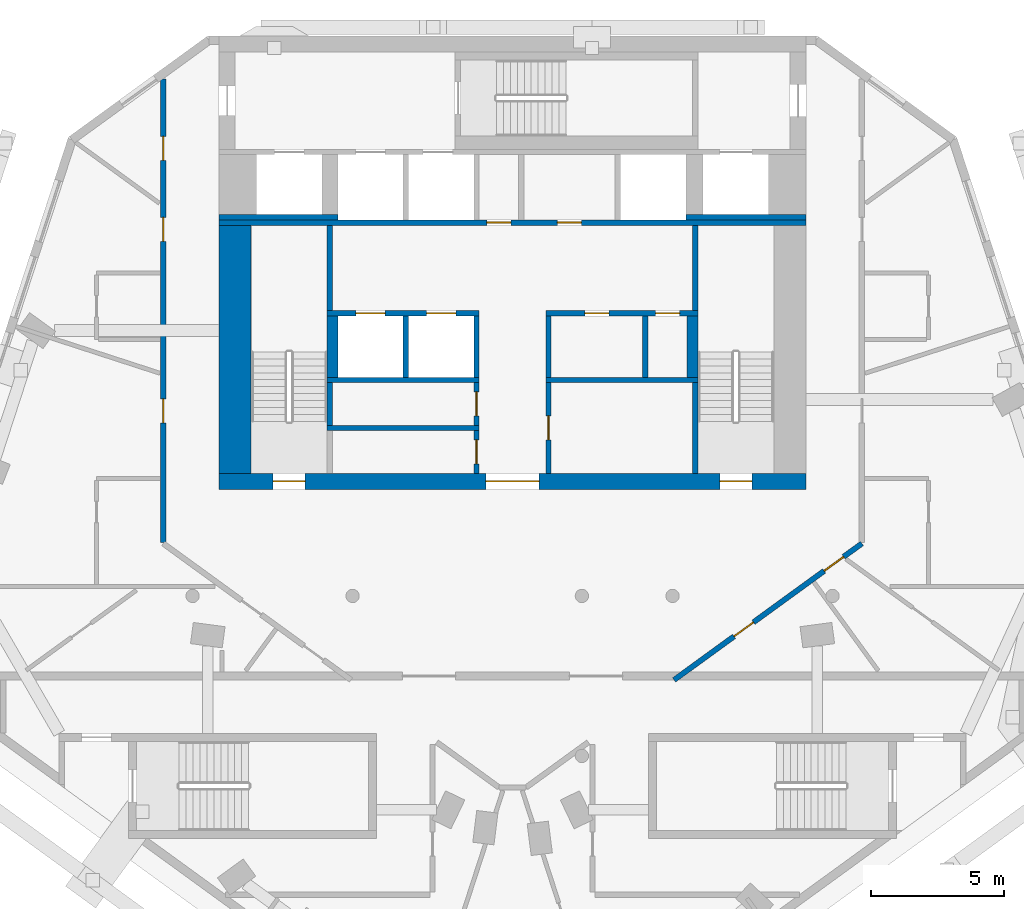
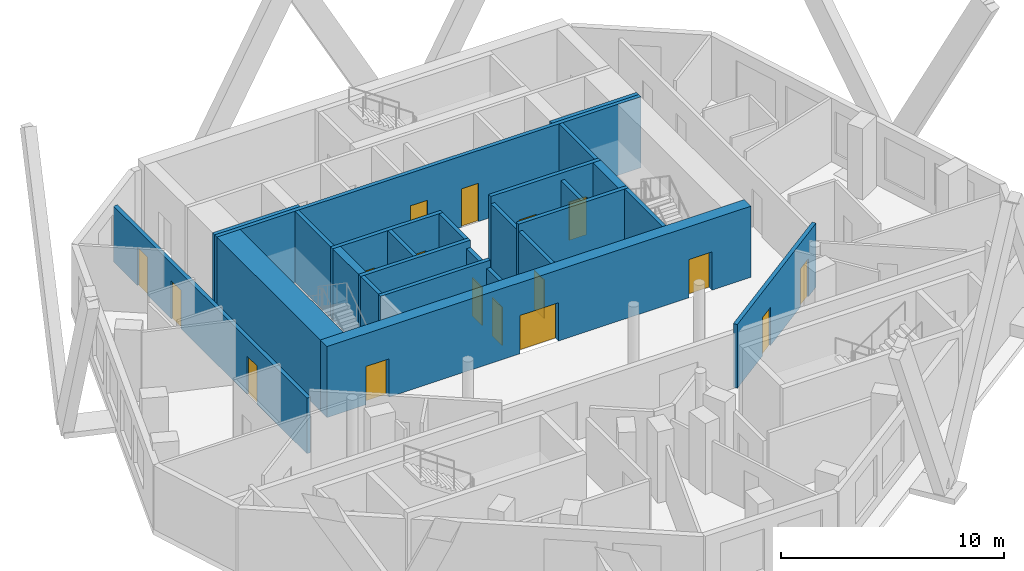
# One storey, part 4 of 8: 25 walls, 17 doors, 17 openings.
"""IFC4 building model written with IfcOpenShell, lengths in metres."""

from ifc_helpers import new_model, si_unit, direction, frame, frame_2d, origin, place, context, subcontext, project, spatial, rectangle, extrude, material, layer, layer_set, type_object, element, fill, save


model = new_model("IFC4")

# Units and contexts
model_context = context("Model", 3, precision=1e-05, world=origin(), true_north=direction((0.0, 1.0)))
body_context = subcontext(model_context, "Body", "Model", "MODEL_VIEW")
ifc_project = project(units=[si_unit("LENGTHUNIT", "METRE"), si_unit("AREAUNIT", "SQUARE_METRE"), si_unit("VOLUMEUNIT", "CUBIC_METRE"), si_unit("PLANEANGLEUNIT", "RADIAN"), si_unit("MASSUNIT", "GRAM", prefix="KILO")], contexts=[model_context])

# Site, building, storey
site_placement = place(None, origin())
site = spatial("IfcSite", under=ifc_project, at=site_placement, CompositionType="ELEMENT")
building_placement = place(site_placement, origin())
building = spatial("IfcBuilding", under=site, at=building_placement, Name="White Candle Pilgrim Tower", CompositionType="ELEMENT")
storey_placement = place(building_placement, frame((0.0, 0.0, 317.800048828125)))
storey = spatial("IfcBuildingStorey", under=building, at=storey_placement, Name="L75", CompositionType="ELEMENT", Elevation=317.800048828125)

# Walls
ifc_material_1 = material(Name="Concrete C40/50", Category="concrete")
ifc_layer_1 = layer(ifc_material_1, 0.199951171875)
ifc_layer_set_1 = layer_set([ifc_layer_1], Name="Core wall 200 mm Concrete C40/50")
wall_type_1 = type_object("IfcWallType", Name="Core wall 200 mm Concrete C40/50", PredefinedType="SHEAR", material=ifc_layer_set_1)
wall_1_placement = place(storey_placement, frame((59.0, 81.199951171875, 0.0), z_axis=(0.0, 0.0, 1.0), x_axis=(1.0, 0.0, 0.0)))
element("IfcWall", 1, at=wall_1_placement, inside=storey, type_object=wall_type_1, Name="WL-L75-C34", PredefinedType="SHEAR", context=body_context, shape_type="SweptSolid", body=[
    extrude(rectangle(XDim=4.449951171875, YDim=0.199951171875, at=frame_2d((2.22509765625, 0.0))), origin(), (0.0, 0.0, 1.0), 3.89990234375),
])
wall_2_placement = place(storey_placement, frame((76.5, 81.199951171875, 0.0), z_axis=(0.0, 0.0, 1.0), x_axis=(1.0, 0.0, 0.0)))
element("IfcWall", 2, at=wall_2_placement, inside=storey, type_object=wall_type_1, Name="WL-L75-C39", PredefinedType="SHEAR", context=body_context, shape_type="SweptSolid", body=[
    extrude(rectangle(XDim=4.5, YDim=0.199951171875, at=frame_2d((2.25, 0.0))), origin(), (0.0, 0.0, 1.0), 3.89990234375),
])

# Wall, openings, doors
ifc_material_2 = material(Name="Gypsum board on steel studs", Category="steel")
ifc_layer_2 = layer(ifc_material_2, 0.199951171875)
ifc_layer_set_2 = layer_set([ifc_layer_2], Name="Corridor wall 200 mm EI 45")
wall_type_2 = type_object("IfcWallType", Name="Corridor wall 200 mm EI 45", PredefinedType="PARTITIONING", material=ifc_layer_set_2)
wall_3_placement = place(storey_placement, frame((56.89990234375, 69.0, 0.0), z_axis=(0.0, 0.0, 1.0), x_axis=(0.0, 1.0, 0.0)))
wall_3 = element("IfcWall", 3, at=wall_3_placement, inside=storey, type_object=wall_type_2, Name="WL-L75-P003", PredefinedType="PARTITIONING", context=body_context, shape_type="SweptSolid", body=[
    extrude(rectangle(XDim=17.396240234375, YDim=0.199951171875, at=frame_2d((8.6982421875, 0.0))), origin(), (0.0, 0.0, 1.0), 3.050048828125),
])
opening_1_placement = place(wall_3_placement, frame((4.48779296875, 0.0, 0.0)))
opening_1 = element("IfcOpeningElement", 4, at=opening_1_placement, cuts=wall_3, Name="Opening T23-110", PredefinedType="OPENING", context=body_context, shape_type="SweptSolid", body=[
    extrude(rectangle(XDim=0.89990234375, YDim=2.10009765625, at=frame_2d((0.449951171875, 1.050048828125))), frame((0.0, 0.10986328125, 0.0), z_axis=(0.0, -1.0, 0.0), x_axis=(1.0, 0.0, 0.0)), (0.0, 0.0, 1.0), 0.219970703125),
])
opening_2_placement = place(wall_3_placement, frame((11.29443359375, 0.0, 0.0)))
opening_2 = element("IfcOpeningElement", 5, at=opening_2_placement, cuts=wall_3, Name="Opening T23-111", PredefinedType="OPENING", context=body_context, shape_type="SweptSolid", body=[
    extrude(rectangle(XDim=0.89990234375, YDim=2.10009765625, at=frame_2d((0.449951171875, 1.050048828125))), frame((0.0, 0.10986328125, 0.0), z_axis=(0.0, -1.0, 0.0), x_axis=(1.0, 0.0, 0.0)), (0.0, 0.0, 1.0), 0.219970703125),
])
opening_3_placement = place(wall_3_placement, frame((14.3369140625, 0.0, 0.0)))
opening_3 = element("IfcOpeningElement", 6, at=opening_3_placement, cuts=wall_3, Name="Opening T23-112", PredefinedType="OPENING", context=body_context, shape_type="SweptSolid", body=[
    extrude(rectangle(XDim=0.89990234375, YDim=2.10009765625, at=frame_2d((0.449951171875, 1.050048828125))), frame((0.0, 0.10986328125, 0.0), z_axis=(0.0, -1.0, 0.0), x_axis=(1.0, 0.0, 0.0)), (0.0, 0.0, 1.0), 0.219970703125),
])
ifc_material_3 = material(Name="Steel door leaf", Category="steel")
door_type_1 = type_object("IfcDoorType", Name="Fire door 900 x 2100 EI 30", OperationType="NOTDEFINED", PredefinedType="DOOR", material=ifc_material_3)
door_1_placement = place(opening_1_placement, origin())
door_1 = element("IfcDoor", 7, at=door_1_placement, inside=storey, type_object=door_type_1, Name="Door T23-110", OperationType="SINGLE_SWING_RIGHT", OverallHeight=2.10009765625, OverallWidth=0.89990234375, PredefinedType="DOOR", context=body_context, shape_type="SweptSolid", body=[
    extrude(rectangle(XDim=0.89990234375, YDim=2.10009765625, at=frame_2d((0.449951171875, 1.050048828125))), frame((0.0, 0.02490234375, 0.0), z_axis=(0.0, -1.0, 0.0), x_axis=(1.0, 0.0, 0.0)), (0.0, 0.0, 1.0), 0.050048828125),
])
fill(opening_1, door_1)
door_2_placement = place(opening_2_placement, origin())
door_2 = element("IfcDoor", 8, at=door_2_placement, inside=storey, type_object=door_type_1, Name="Door T23-111", OperationType="SINGLE_SWING_LEFT", OverallHeight=2.10009765625, OverallWidth=0.89990234375, PredefinedType="DOOR", context=body_context, shape_type="SweptSolid", body=[
    extrude(rectangle(XDim=0.89990234375, YDim=2.10009765625, at=frame_2d((0.449951171875, 1.050048828125))), frame((0.0, 0.02490234375, 0.0), z_axis=(0.0, -1.0, 0.0), x_axis=(1.0, 0.0, 0.0)), (0.0, 0.0, 1.0), 0.050048828125),
])
fill(opening_2, door_2)
door_3_placement = place(opening_3_placement, origin())
door_3 = element("IfcDoor", 9, at=door_3_placement, inside=storey, type_object=door_type_1, Name="Door T23-112", OperationType="SINGLE_SWING_RIGHT", OverallHeight=2.10009765625, OverallWidth=0.89990234375, PredefinedType="DOOR", context=body_context, shape_type="SweptSolid", body=[
    extrude(rectangle(XDim=0.89990234375, YDim=2.10009765625, at=frame_2d((0.449951171875, 1.050048828125))), frame((0.0, 0.02490234375, 0.0), z_axis=(0.0, -1.0, 0.0), x_axis=(1.0, 0.0, 0.0)), (0.0, 0.0, 1.0), 0.050048828125),
])
fill(opening_3, door_3)

wall_4_placement = place(storey_placement, frame((83.099853515625, 68.966796875, 0.0), z_axis=(0.0, 0.0, 1.0), x_axis=(-0.809024626779, -0.587774747046, 0.0)))
wall_4 = element("IfcWall", 10, at=wall_4_placement, inside=storey, type_object=wall_type_2, Name="WL-L75-P005", PredefinedType="PARTITIONING", context=body_context, shape_type="SweptSolid", body=[
    extrude(rectangle(XDim=8.705322265625, YDim=0.199951171875, at=frame_2d((4.3525390625, 0.0))), origin(), (0.0, 0.0, 1.0), 3.5),
])
opening_4_placement = place(wall_4_placement, frame((0.84521484375, 0.0, 0.0)))
opening_4 = element("IfcOpeningElement", 11, at=opening_4_placement, cuts=wall_4, Name="Opening T23-116", PredefinedType="OPENING", context=body_context, shape_type="SweptSolid", body=[
    extrude(rectangle(XDim=0.89990234375, YDim=2.10009765625, at=frame_2d((0.449951171875, 1.050048828125))), frame((0.0, 0.10986328125, 0.0), z_axis=(0.0, -1.0, 0.0), x_axis=(1.0, 0.0, 0.0)), (0.0, 0.0, 1.0), 0.219970703125),
])
opening_5_placement = place(wall_4_placement, frame((5.0263671875, 0.0, 0.0)))
opening_5 = element("IfcOpeningElement", 12, at=opening_5_placement, cuts=wall_4, Name="Opening T23-118", PredefinedType="OPENING", context=body_context, shape_type="SweptSolid", body=[
    extrude(rectangle(XDim=0.89990234375, YDim=2.10009765625, at=frame_2d((0.449951171875, 1.050048828125))), frame((0.0, 0.10986328125, 0.0), z_axis=(0.0, -1.0, 0.0), x_axis=(1.0, 0.0, 0.0)), (0.0, 0.0, 1.0), 0.219970703125),
])
door_4_placement = place(opening_4_placement, origin())
door_4 = element("IfcDoor", 13, at=door_4_placement, inside=storey, type_object=door_type_1, Name="Door T23-116", OperationType="SINGLE_SWING_LEFT", OverallHeight=2.10009765625, OverallWidth=0.89990234375, PredefinedType="DOOR", context=body_context, shape_type="SweptSolid", body=[
    extrude(rectangle(XDim=0.89990234375, YDim=2.10009765625, at=frame_2d((0.449951171875, 1.050048828125))), frame((0.0, 0.02490234375, 0.0), z_axis=(0.0, -1.0, 0.0), x_axis=(1.0, 0.0, 0.0)), (0.0, 0.0, 1.0), 0.050048828125),
])
fill(opening_4, door_4)
door_5_placement = place(opening_5_placement, origin())
door_5 = element("IfcDoor", 14, at=door_5_placement, inside=storey, type_object=door_type_1, Name="Door T23-118", OperationType="SINGLE_SWING_RIGHT", OverallHeight=2.10009765625, OverallWidth=0.89990234375, PredefinedType="DOOR", context=body_context, shape_type="SweptSolid", body=[
    extrude(rectangle(XDim=0.89990234375, YDim=2.10009765625, at=frame_2d((0.449951171875, 1.050048828125))), frame((0.0, 0.02490234375, 0.0), z_axis=(0.0, -1.0, 0.0), x_axis=(1.0, 0.0, 0.0)), (0.0, 0.0, 1.0), 0.050048828125),
])
fill(opening_5, door_5)

# Wall, opening, door
ifc_layer_3 = layer(ifc_material_2, 0.199951171875)
ifc_layer_set_3 = layer_set([ifc_layer_3], Name="Lobby wall 200 mm EI 60")
wall_type_3 = type_object("IfcWallType", Name="Lobby wall 200 mm EI 60", PredefinedType="PARTITIONING", material=ifc_layer_set_3)
wall_5_placement = place(storey_placement, frame((68.64990234375, 71.60009765625, 0.0), z_axis=(0.0, 0.0, 1.0), x_axis=(0.0, 1.0, 0.0)))
wall_5 = element("IfcWall", 15, at=wall_5_placement, inside=storey, type_object=wall_type_3, Name="WL-L75-C14", PredefinedType="PARTITIONING", context=body_context, shape_type="SweptSolid", body=[
    extrude(rectangle(XDim=1.599853515625, YDim=0.199951171875, at=frame_2d((0.7998046875, 0.0))), origin(), (0.0, 0.0, 1.0), 3.5),
])
opening_6_placement = place(wall_5_placement, frame((0.35009765625, 0.0, 0.0)))
opening_6 = element("IfcOpeningElement", 16, at=opening_6_placement, cuts=wall_5, Name="Opening T23-005", PredefinedType="OPENING", context=body_context, shape_type="SweptSolid", body=[
    extrude(rectangle(XDim=0.89990234375, YDim=2.10009765625, at=frame_2d((0.449951171875, 1.050048828125))), frame((0.0, 0.10986328125, 0.0), z_axis=(0.0, -1.0, 0.0), x_axis=(1.0, 0.0, 0.0)), (0.0, 0.0, 1.0), 0.219970703125),
])
door_6_placement = place(opening_6_placement, origin())
door_6 = element("IfcDoor", 17, at=door_6_placement, inside=storey, type_object=door_type_1, Name="Door T23-005", OperationType="SINGLE_SWING_LEFT", OverallHeight=2.10009765625, OverallWidth=0.89990234375, PredefinedType="DOOR", context=body_context, shape_type="SweptSolid", body=[
    extrude(rectangle(XDim=0.89990234375, YDim=2.10009765625, at=frame_2d((0.449951171875, 1.050048828125))), frame((0.0, 0.02490234375, 0.0), z_axis=(0.0, -1.0, 0.0), x_axis=(1.0, 0.0, 0.0)), (0.0, 0.0, 1.0), 0.050048828125),
])
fill(opening_6, door_6)

wall_6_placement = place(storey_placement, frame((71.35009765625, 71.60009765625, 0.0), z_axis=(0.0, 0.0, 1.0), x_axis=(0.0, 1.0, 0.0)))
wall_6 = element("IfcWall", 18, at=wall_6_placement, inside=storey, type_object=wall_type_3, Name="WL-L75-C15", PredefinedType="PARTITIONING", context=body_context, shape_type="SweptSolid", body=[
    extrude(rectangle(XDim=3.39990234375, YDim=0.199951171875, at=frame_2d((1.699951171875, 0.0))), origin(), (0.0, 0.0, 1.0), 3.5),
])
opening_7_placement = place(wall_6_placement, frame((1.25, 0.0, 0.0)))
opening_7 = element("IfcOpeningElement", 19, at=opening_7_placement, cuts=wall_6, Name="Opening T23-007", PredefinedType="OPENING", context=body_context, shape_type="SweptSolid", body=[
    extrude(rectangle(XDim=0.89990234375, YDim=2.10009765625, at=frame_2d((0.449951171875, 1.050048828125))), frame((0.0, 0.10986328125, 0.0), z_axis=(0.0, -1.0, 0.0), x_axis=(1.0, 0.0, 0.0)), (0.0, 0.0, 1.0), 0.219970703125),
])
door_7_placement = place(opening_7_placement, origin())
door_7 = element("IfcDoor", 20, at=door_7_placement, inside=storey, type_object=door_type_1, Name="Door T23-007", OperationType="SINGLE_SWING_LEFT", OverallHeight=2.10009765625, OverallWidth=0.89990234375, PredefinedType="DOOR", context=body_context, shape_type="SweptSolid", body=[
    extrude(rectangle(XDim=0.89990234375, YDim=2.10009765625, at=frame_2d((0.449951171875, 1.050048828125))), frame((0.0, 0.02490234375, 0.0), z_axis=(0.0, -1.0, 0.0), x_axis=(1.0, 0.0, 0.0)), (0.0, 0.0, 1.0), 0.050048828125),
])
fill(opening_7, door_7)

wall_7_placement = place(storey_placement, frame((68.64990234375, 73.39990234375, 0.0), z_axis=(0.0, 0.0, 1.0), x_axis=(0.0, 1.0, 0.0)))
wall_7 = element("IfcWall", 21, at=wall_7_placement, inside=storey, type_object=wall_type_3, Name="WL-L75-C20", PredefinedType="PARTITIONING", context=body_context, shape_type="SweptSolid", body=[
    extrude(rectangle(XDim=1.60009765625, YDim=0.199951171875, at=frame_2d((0.800048828125, 0.0))), origin(), (0.0, 0.0, 1.0), 3.5),
])
opening_8_placement = place(wall_7_placement, frame((0.35009765625, 0.0, 0.0)))
opening_8 = element("IfcOpeningElement", 22, at=opening_8_placement, cuts=wall_7, Name="Opening T23-006", PredefinedType="OPENING", context=body_context, shape_type="SweptSolid", body=[
    extrude(rectangle(XDim=0.89990234375, YDim=2.10009765625, at=frame_2d((0.449951171875, 1.050048828125))), frame((0.0, 0.10986328125, 0.0), z_axis=(0.0, -1.0, 0.0), x_axis=(1.0, 0.0, 0.0)), (0.0, 0.0, 1.0), 0.219970703125),
])
door_8_placement = place(opening_8_placement, origin())
door_8 = element("IfcDoor", 23, at=door_8_placement, inside=storey, type_object=door_type_1, Name="Door T23-006", OperationType="SINGLE_SWING_RIGHT", OverallHeight=2.10009765625, OverallWidth=0.89990234375, PredefinedType="DOOR", context=body_context, shape_type="SweptSolid", body=[
    extrude(rectangle(XDim=0.89990234375, YDim=2.10009765625, at=frame_2d((0.449951171875, 1.050048828125))), frame((0.0, 0.02490234375, 0.0), z_axis=(0.0, -1.0, 0.0), x_axis=(1.0, 0.0, 0.0)), (0.0, 0.0, 1.0), 0.050048828125),
])
fill(opening_8, door_8)

# Walls
for number, where, z_axis, x_axis, name in (
    (24, (71.35009765625, 75.199951171875, 0.0), (0.0, 0.0, 1.0), (0.0, 1.0, 0.0), "WL-L75-C26"),
    (25, (74.97998046875, 75.199951171875, 0.0), (0.0, 0.0, 1.0), (0.0, 1.0, 0.0), "WL-L75-C27"),
):
    element("IfcWall", number, at=place(storey_placement, frame(where, z_axis=z_axis, x_axis=x_axis)), inside=storey, type_object=wall_type_3, Name=name, PredefinedType="PARTITIONING", context=body_context, shape_type="SweptSolid", body=[
        extrude(rectangle(XDim=2.300048828125, YDim=0.199951171875, at=frame_2d((1.14990234375, 0.0))), origin(), (0.0, 0.0, 1.0), 3.5),
    ])
ifc_layer_4 = layer(ifc_material_1, 0.199951171875)
ifc_layer_set_4 = layer_set([ifc_layer_4], Name="Shaft wall 200 mm Concrete C40/50")
wall_type_4 = type_object("IfcWallType", Name="Shaft wall 200 mm Concrete C40/50", PredefinedType="SHEAR", material=ifc_layer_set_4)
for number, where, z_axis, x_axis, name in (
    (26, (66.0, 75.199951171875, 0.0), (0.0, 0.0, 1.0), (0.0, 1.0, 0.0), "WL-L75-C24"),
    (27, (68.64990234375, 75.199951171875, 0.0), (0.0, 0.0, 1.0), (0.0, 1.0, 0.0), "WL-L75-C25"),
):
    element("IfcWall", number, at=place(storey_placement, frame(where, z_axis=z_axis, x_axis=x_axis)), inside=storey, type_object=wall_type_4, Name=name, PredefinedType="SHEAR", context=body_context, shape_type="SweptSolid", body=[
        extrude(rectangle(XDim=2.300048828125, YDim=0.199951171875, at=frame_2d((1.14990234375, 0.0))), origin(), (0.0, 0.0, 1.0), 3.89990234375),
    ])
ifc_layer_5 = layer(ifc_material_1, 1.199951171875)
ifc_layer_set_5 = layer_set([ifc_layer_5], Name="Stair shaft wall 1200 mm Concrete C40/50")
wall_type_5 = type_object("IfcWallType", Name="Stair shaft wall 1200 mm Concrete C40/50", PredefinedType="SHEAR", material=ifc_layer_set_5)
wall_8_placement = place(storey_placement, frame((59.60009765625, 71.60009765625, 0.0), z_axis=(0.0, 0.0, 1.0), x_axis=(0.0, 1.0, 0.0)))
element("IfcWall", 28, at=wall_8_placement, inside=storey, type_object=wall_type_5, Name="WL-L75-C12", PredefinedType="SHEAR", context=body_context, shape_type="SweptSolid", body=[
    extrude(rectangle(XDim=9.2998046875, YDim=1.199951171875, at=frame_2d((4.64990234375, 0.0))), origin(), (0.0, 0.0, 1.0), 3.89990234375),
])
ifc_layer_6 = layer(ifc_material_1, 0.199951171875)
ifc_layer_set_6 = layer_set([ifc_layer_6], Name="Stair shaft wall 200 mm Concrete C40/50")
wall_type_6 = type_object("IfcWallType", Name="Stair shaft wall 200 mm Concrete C40/50", PredefinedType="SHEAR", material=ifc_layer_set_6)
wall_9_placement = place(storey_placement, frame((76.85009765625, 71.60009765625, 0.0), z_axis=(0.0, 0.0, 1.0), x_axis=(0.0, 1.0, 0.0)))
element("IfcWall", 29, at=wall_9_placement, inside=storey, type_object=wall_type_6, Name="WL-L75-C16", PredefinedType="SHEAR", context=body_context, shape_type="SweptSolid", body=[
    extrude(rectangle(XDim=3.39990234375, YDim=0.199951171875, at=frame_2d((1.699951171875, 0.0))), origin(), (0.0, 0.0, 1.0), 3.89990234375),
])
wall_10_placement = place(storey_placement, frame((63.050048828125, 73.300048828125, 0.0), z_axis=(0.0, 0.0, 1.0), x_axis=(1.0, 0.0, 0.0)))
element("IfcWall", 30, at=wall_10_placement, inside=storey, type_object=wall_type_6, Name="WL-L75-C18", PredefinedType="SHEAR", context=body_context, shape_type="SweptSolid", body=[
    extrude(rectangle(XDim=5.699951171875, YDim=0.199951171875, at=frame_2d((2.85009765625, 0.0))), origin(), (0.0, 0.0, 1.0), 3.89990234375),
])
wall_11_placement = place(storey_placement, frame((63.14990234375, 73.39990234375, 0.0), z_axis=(0.0, 0.0, 1.0), x_axis=(0.0, 1.0, 0.0)))
element("IfcWall", 31, at=wall_11_placement, inside=storey, type_object=wall_type_6, Name="WL-L75-C19", PredefinedType="SHEAR", context=body_context, shape_type="SweptSolid", body=[
    extrude(rectangle(XDim=1.60009765625, YDim=0.199951171875, at=frame_2d((0.800048828125, 0.0))), origin(), (0.0, 0.0, 1.0), 3.89990234375),
])
for number, where, z_axis, x_axis, name in (
    (32, (63.050048828125, 75.10009765625, 0.0), (0.0, 0.0, 1.0), (1.0, 0.0, 0.0), "WL-L75-C21"),
    (33, (71.25, 75.10009765625, 0.0), (0.0, 0.0, 1.0), (1.0, 0.0, 0.0), "WL-L75-C22"),
):
    element("IfcWall", number, at=place(storey_placement, frame(where, z_axis=z_axis, x_axis=x_axis)), inside=storey, type_object=wall_type_6, Name=name, PredefinedType="SHEAR", context=body_context, shape_type="SweptSolid", body=[
        extrude(rectangle(XDim=5.699951171875, YDim=0.199951171875, at=frame_2d((2.85009765625, 0.0))), origin(), (0.0, 0.0, 1.0), 3.89990234375),
    ])

# Wall, openings, doors
wall_12_placement = place(storey_placement, frame((63.050048828125, 77.60009765625, 0.0), z_axis=(0.0, 0.0, 1.0), x_axis=(1.0, 0.0, 0.0)))
wall_12 = element("IfcWall", 34, at=wall_12_placement, inside=storey, type_object=wall_type_6, Name="WL-L75-C29", PredefinedType="SHEAR", context=body_context, shape_type="SweptSolid", body=[
    extrude(rectangle(XDim=5.699951171875, YDim=0.199951171875, at=frame_2d((2.85009765625, 0.0))), origin(), (0.0, 0.0, 1.0), 3.89990234375),
])
opening_9_placement = place(wall_12_placement, frame((1.074951171875, 0.0, 0.0)))
opening_9 = element("IfcOpeningElement", 35, at=opening_9_placement, cuts=wall_12, Name="Opening T23-014", PredefinedType="OPENING", context=body_context, shape_type="SweptSolid", body=[
    extrude(rectangle(XDim=1.10009765625, YDim=2.10009765625, at=frame_2d((0.550048828125, 1.050048828125))), frame((0.0, 0.10986328125, 0.0), z_axis=(0.0, -1.0, 0.0), x_axis=(1.0, 0.0, 0.0)), (0.0, 0.0, 1.0), 0.219970703125),
])
opening_10_placement = place(wall_12_placement, frame((3.72509765625, 0.0, 0.0)))
opening_10 = element("IfcOpeningElement", 36, at=opening_10_placement, cuts=wall_12, Name="Opening T23-015", PredefinedType="OPENING", context=body_context, shape_type="SweptSolid", body=[
    extrude(rectangle(XDim=1.10009765625, YDim=2.10009765625, at=frame_2d((0.550048828125, 1.050048828125))), frame((0.0, 0.10986328125, 0.0), z_axis=(0.0, -1.0, 0.0), x_axis=(1.0, 0.0, 0.0)), (0.0, 0.0, 1.0), 0.219970703125),
])
ifc_material_4 = material(Name="Stainless steel", Category="steel")
door_type_2 = type_object("IfcDoorType", Name="Lift landing door 1100 x 2100 E 60", OperationType="DOUBLE_DOOR_SLIDING", PredefinedType="DOOR", material=ifc_material_4)
door_9_placement = place(opening_9_placement, origin())
door_9 = element("IfcDoor", 37, at=door_9_placement, inside=storey, type_object=door_type_2, Name="Door T23-014", OperationType="DOUBLE_DOOR_SLIDING", OverallHeight=2.10009765625, OverallWidth=1.10009765625, PredefinedType="DOOR", context=body_context, shape_type="SweptSolid", body=[
    extrude(rectangle(XDim=1.10009765625, YDim=2.10009765625, at=frame_2d((0.550048828125, 1.050048828125))), frame((0.0, 0.02490234375, 0.0), z_axis=(0.0, -1.0, 0.0), x_axis=(1.0, 0.0, 0.0)), (0.0, 0.0, 1.0), 0.050048828125),
])
fill(opening_9, door_9)
door_10_placement = place(opening_10_placement, origin())
door_10 = element("IfcDoor", 38, at=door_10_placement, inside=storey, type_object=door_type_2, Name="Door T23-015", OperationType="DOUBLE_DOOR_SLIDING", OverallHeight=2.10009765625, OverallWidth=1.10009765625, PredefinedType="DOOR", context=body_context, shape_type="SweptSolid", body=[
    extrude(rectangle(XDim=1.10009765625, YDim=2.10009765625, at=frame_2d((0.550048828125, 1.050048828125))), frame((0.0, 0.02490234375, 0.0), z_axis=(0.0, -1.0, 0.0), x_axis=(1.0, 0.0, 0.0)), (0.0, 0.0, 1.0), 0.050048828125),
])
fill(opening_10, door_10)

wall_13_placement = place(storey_placement, frame((71.25, 77.60009765625, 0.0), z_axis=(0.0, 0.0, 1.0), x_axis=(1.0, 0.0, 0.0)))
wall_13 = element("IfcWall", 39, at=wall_13_placement, inside=storey, type_object=wall_type_6, Name="WL-L75-C30", PredefinedType="SHEAR", context=body_context, shape_type="SweptSolid", body=[
    extrude(rectangle(XDim=5.699951171875, YDim=0.199951171875, at=frame_2d((2.85009765625, 0.0))), origin(), (0.0, 0.0, 1.0), 3.89990234375),
])
opening_11_placement = place(wall_13_placement, frame((1.465087890625, 0.0, 0.0)))
opening_11 = element("IfcOpeningElement", 40, at=opening_11_placement, cuts=wall_13, Name="Opening T23-020", PredefinedType="OPENING", context=body_context, shape_type="SweptSolid", body=[
    extrude(rectangle(XDim=0.89990234375, YDim=2.10009765625, at=frame_2d((0.449951171875, 1.050048828125))), frame((0.0, 0.10986328125, 0.0), z_axis=(0.0, -1.0, 0.0), x_axis=(1.0, 0.0, 0.0)), (0.0, 0.0, 1.0), 0.219970703125),
])
opening_12_placement = place(wall_13_placement, frame((4.114990234375, 0.0, 0.0)))
opening_12 = element("IfcOpeningElement", 41, at=opening_12_placement, cuts=wall_13, Name="Opening T23-021", PredefinedType="OPENING", context=body_context, shape_type="SweptSolid", body=[
    extrude(rectangle(XDim=0.89990234375, YDim=2.10009765625, at=frame_2d((0.449951171875, 1.050048828125))), frame((0.0, 0.10986328125, 0.0), z_axis=(0.0, -1.0, 0.0), x_axis=(1.0, 0.0, 0.0)), (0.0, 0.0, 1.0), 0.219970703125),
])
door_11_placement = place(opening_11_placement, origin())
door_11 = element("IfcDoor", 42, at=door_11_placement, inside=storey, type_object=door_type_1, Name="Door T23-020", OperationType="SINGLE_SWING_RIGHT", OverallHeight=2.10009765625, OverallWidth=0.89990234375, PredefinedType="DOOR", context=body_context, shape_type="SweptSolid", body=[
    extrude(rectangle(XDim=0.89990234375, YDim=2.10009765625, at=frame_2d((0.449951171875, 1.050048828125))), frame((0.0, 0.02490234375, 0.0), z_axis=(0.0, -1.0, 0.0), x_axis=(1.0, 0.0, 0.0)), (0.0, 0.0, 1.0), 0.050048828125),
])
fill(opening_11, door_11)
door_12_placement = place(opening_12_placement, origin())
door_12 = element("IfcDoor", 43, at=door_12_placement, inside=storey, type_object=door_type_1, Name="Door T23-021", OperationType="SINGLE_SWING_LEFT", OverallHeight=2.10009765625, OverallWidth=0.89990234375, PredefinedType="DOOR", context=body_context, shape_type="SweptSolid", body=[
    extrude(rectangle(XDim=0.89990234375, YDim=2.10009765625, at=frame_2d((0.449951171875, 1.050048828125))), frame((0.0, 0.02490234375, 0.0), z_axis=(0.0, -1.0, 0.0), x_axis=(1.0, 0.0, 0.0)), (0.0, 0.0, 1.0), 0.050048828125),
])
fill(opening_12, door_12)

# Walls
for number, where, z_axis, x_axis, name in (
    (44, (63.14990234375, 77.699951171875, 0.0), (0.0, 0.0, 1.0), (0.0, 1.0, 0.0), "WL-L75-C31"),
    (45, (76.85009765625, 77.699951171875, 0.0), (0.0, 0.0, 1.0), (0.0, 1.0, 0.0), "WL-L75-C32"),
):
    element("IfcWall", number, at=place(storey_placement, frame(where, z_axis=z_axis, x_axis=x_axis)), inside=storey, type_object=wall_type_6, Name=name, PredefinedType="SHEAR", context=body_context, shape_type="SweptSolid", body=[
        extrude(rectangle(XDim=3.199951171875, YDim=0.199951171875, at=frame_2d((1.60009765625, 0.0))), origin(), (0.0, 0.0, 1.0), 3.89990234375),
    ])

# Wall, openings, doors
wall_14_placement = place(storey_placement, frame((59.0, 81.0, 0.0), z_axis=(0.0, 0.0, 1.0), x_axis=(1.0, 0.0, 0.0)))
wall_14 = element("IfcWall", 46, at=wall_14_placement, inside=storey, type_object=wall_type_6, Name="WL-L75-C33", PredefinedType="SHEAR", context=body_context, shape_type="SweptSolid", body=[
    extrude(rectangle(XDim=22.0, YDim=0.199951171875, at=frame_2d((11.0, 0.0))), origin(), (0.0, 0.0, 1.0), 3.89990234375),
])
opening_13_placement = place(wall_14_placement, frame((10.034912109375, 0.0, 0.0)))
opening_13 = element("IfcOpeningElement", 47, at=opening_13_placement, cuts=wall_14, Name="Opening T23-022", PredefinedType="OPENING", context=body_context, shape_type="SweptSolid", body=[
    extrude(rectangle(XDim=0.89990234375, YDim=2.10009765625, at=frame_2d((0.449951171875, 1.050048828125))), frame((0.0, 0.10986328125, 0.0), z_axis=(0.0, -1.0, 0.0), x_axis=(1.0, 0.0, 0.0)), (0.0, 0.0, 1.0), 0.219970703125),
])
opening_14_placement = place(wall_14_placement, frame((12.68505859375, 0.0, 0.0)))
opening_14 = element("IfcOpeningElement", 48, at=opening_14_placement, cuts=wall_14, Name="Opening T23-023", PredefinedType="OPENING", context=body_context, shape_type="SweptSolid", body=[
    extrude(rectangle(XDim=0.89990234375, YDim=2.10009765625, at=frame_2d((0.449951171875, 1.050048828125))), frame((0.0, 0.10986328125, 0.0), z_axis=(0.0, -1.0, 0.0), x_axis=(1.0, 0.0, 0.0)), (0.0, 0.0, 1.0), 0.219970703125),
])
door_13_placement = place(opening_13_placement, origin())
door_13 = element("IfcDoor", 49, at=door_13_placement, inside=storey, type_object=door_type_1, Name="Door T23-022", OperationType="SINGLE_SWING_RIGHT", OverallHeight=2.10009765625, OverallWidth=0.89990234375, PredefinedType="DOOR", context=body_context, shape_type="SweptSolid", body=[
    extrude(rectangle(XDim=0.89990234375, YDim=2.10009765625, at=frame_2d((0.449951171875, 1.050048828125))), frame((0.0, 0.02490234375, 0.0), z_axis=(0.0, -1.0, 0.0), x_axis=(1.0, 0.0, 0.0)), (0.0, 0.0, 1.0), 0.050048828125),
])
fill(opening_13, door_13)
door_14_placement = place(opening_14_placement, origin())
door_14 = element("IfcDoor", 50, at=door_14_placement, inside=storey, type_object=door_type_1, Name="Door T23-023", OperationType="SINGLE_SWING_LEFT", OverallHeight=2.10009765625, OverallWidth=0.89990234375, PredefinedType="DOOR", context=body_context, shape_type="SweptSolid", body=[
    extrude(rectangle(XDim=0.89990234375, YDim=2.10009765625, at=frame_2d((0.449951171875, 1.050048828125))), frame((0.0, 0.02490234375, 0.0), z_axis=(0.0, -1.0, 0.0), x_axis=(1.0, 0.0, 0.0)), (0.0, 0.0, 1.0), 0.050048828125),
])
fill(opening_14, door_14)

# Walls
ifc_layer_7 = layer(ifc_material_1, 0.39990234375)
ifc_layer_set_7 = layer_set([ifc_layer_7], Name="Stair shaft wall 400 mm Concrete C40/50")
wall_type_7 = type_object("IfcWallType", Name="Stair shaft wall 400 mm Concrete C40/50", PredefinedType="SHEAR", material=ifc_layer_set_7)
for number, where, z_axis, x_axis, name in (
    (51, (63.25, 75.199951171875, 0.0), (0.0, 0.0, 1.0), (0.0, 1.0, 0.0), "WL-L75-C23"),
    (52, (76.75, 75.199951171875, 0.0), (0.0, 0.0, 1.0), (0.0, 1.0, 0.0), "WL-L75-C28"),
):
    element("IfcWall", number, at=place(storey_placement, frame(where, z_axis=z_axis, x_axis=x_axis)), inside=storey, type_object=wall_type_7, Name=name, PredefinedType="SHEAR", context=body_context, shape_type="SweptSolid", body=[
        extrude(rectangle(XDim=2.300048828125, YDim=0.39990234375, at=frame_2d((1.14990234375, 0.0))), origin(), (0.0, 0.0, 1.0), 3.89990234375),
    ])

# Wall, openings, doors
ifc_layer_8 = layer(ifc_material_1, 0.60009765625)
ifc_layer_set_8 = layer_set([ifc_layer_8], Name="Stair shaft wall 600 mm Concrete C40/50")
wall_type_8 = type_object("IfcWallType", Name="Stair shaft wall 600 mm Concrete C40/50", PredefinedType="SHEAR", material=ifc_layer_set_8)
wall_15_placement = place(storey_placement, frame((59.0, 71.300048828125, 0.0), z_axis=(0.0, 0.0, 1.0), x_axis=(1.0, 0.0, 0.0)))
wall_15 = element("IfcWall", 53, at=wall_15_placement, inside=storey, type_object=wall_type_8, Name="WL-L75-C11", PredefinedType="SHEAR", context=body_context, shape_type="SweptSolid", body=[
    extrude(rectangle(XDim=22.0, YDim=0.60009765625, at=frame_2d((11.0, 0.0))), origin(), (0.0, 0.0, 1.0), 3.89990234375),
])
opening_15_placement = place(wall_15_placement, frame((2.02490234375, 0.0, 0.0)))
opening_15 = element("IfcOpeningElement", 54, at=opening_15_placement, cuts=wall_15, Name="Opening T23-001", PredefinedType="OPENING", context=body_context, shape_type="SweptSolid", body=[
    extrude(rectangle(XDim=1.199951171875, YDim=2.10009765625, at=frame_2d((0.60009765625, 1.050048828125))), frame((0.0, 0.31005859375, 0.0), z_axis=(0.0, -1.0, 0.0), x_axis=(1.0, 0.0, 0.0)), (0.0, 0.0, 1.0), 0.6201171875),
])
opening_16_placement = place(wall_15_placement, frame((18.77490234375, 0.0, 0.0)))
opening_16 = element("IfcOpeningElement", 55, at=opening_16_placement, cuts=wall_15, Name="Opening T23-002", PredefinedType="OPENING", context=body_context, shape_type="SweptSolid", body=[
    extrude(rectangle(XDim=1.199951171875, YDim=2.10009765625, at=frame_2d((0.60009765625, 1.050048828125))), frame((0.0, 0.31005859375, 0.0), z_axis=(0.0, -1.0, 0.0), x_axis=(1.0, 0.0, 0.0)), (0.0, 0.0, 1.0), 0.6201171875),
])
opening_17_placement = place(wall_15_placement, frame((10.0, 0.0, 0.0)))
opening_17 = element("IfcOpeningElement", 56, at=opening_17_placement, cuts=wall_15, Name="Opening T23-004", PredefinedType="OPENING", context=body_context, shape_type="SweptSolid", body=[
    extrude(rectangle(XDim=2.0, YDim=2.10009765625, at=frame_2d((1.0, 1.050048828125))), frame((0.0, 0.31005859375, 0.0), z_axis=(0.0, -1.0, 0.0), x_axis=(1.0, 0.0, 0.0)), (0.0, 0.0, 1.0), 0.6201171875),
])
door_type_3 = type_object("IfcDoorType", Name="Fire door 1200 x 2100 EI 60", OperationType="NOTDEFINED", PredefinedType="DOOR", material=ifc_material_3)
door_15_placement = place(opening_15_placement, frame((1.199951171875, 0.0, 0.0), z_axis=(0.0, 0.0, 1.0), x_axis=(-1.0, 0.0, 0.0)))
door_15 = element("IfcDoor", 57, at=door_15_placement, inside=storey, type_object=door_type_3, Name="Door T23-001", OperationType="SINGLE_SWING_RIGHT", OverallHeight=2.10009765625, OverallWidth=1.199951171875, PredefinedType="DOOR", context=body_context, shape_type="SweptSolid", body=[
    extrude(rectangle(XDim=1.199951171875, YDim=2.10009765625, at=frame_2d((0.60009765625, 1.050048828125))), frame((0.0, 0.02490234375, 0.0), z_axis=(0.0, -1.0, 0.0), x_axis=(1.0, 0.0, 0.0)), (0.0, 0.0, 1.0), 0.050048828125),
])
fill(opening_15, door_15)
door_16_placement = place(opening_16_placement, frame((1.199951171875, 0.0, 0.0), z_axis=(0.0, 0.0, 1.0), x_axis=(-1.0, 0.0, 0.0)))
door_16 = element("IfcDoor", 58, at=door_16_placement, inside=storey, type_object=door_type_3, Name="Door T23-002", OperationType="SINGLE_SWING_LEFT", OverallHeight=2.10009765625, OverallWidth=1.199951171875, PredefinedType="DOOR", context=body_context, shape_type="SweptSolid", body=[
    extrude(rectangle(XDim=1.199951171875, YDim=2.10009765625, at=frame_2d((0.60009765625, 1.050048828125))), frame((0.0, 0.02490234375, 0.0), z_axis=(0.0, -1.0, 0.0), x_axis=(1.0, 0.0, 0.0)), (0.0, 0.0, 1.0), 0.050048828125),
])
fill(opening_16, door_16)
door_type_4 = type_object("IfcDoorType", Name="Fire door 2000 x 2100 EI 60", OperationType="NOTDEFINED", PredefinedType="DOOR", material=ifc_material_3)
door_17_placement = place(opening_17_placement, frame((2.0, 0.0, 0.0), z_axis=(0.0, 0.0, 1.0), x_axis=(-1.0, 0.0, 0.0)))
door_17 = element("IfcDoor", 59, at=door_17_placement, inside=storey, type_object=door_type_4, Name="Door T23-004", OperationType="DOUBLE_DOOR_SINGLE_SWING", OverallHeight=2.10009765625, OverallWidth=2.0, PredefinedType="DOOR", context=body_context, shape_type="SweptSolid", body=[
    extrude(rectangle(XDim=2.0, YDim=2.10009765625, at=frame_2d((1.0, 1.050048828125))), frame((0.0, 0.02490234375, 0.0), z_axis=(0.0, -1.0, 0.0), x_axis=(1.0, 0.0, 0.0)), (0.0, 0.0, 1.0), 0.050048828125),
])
fill(opening_17, door_17)

save(model, "model.ifc")
